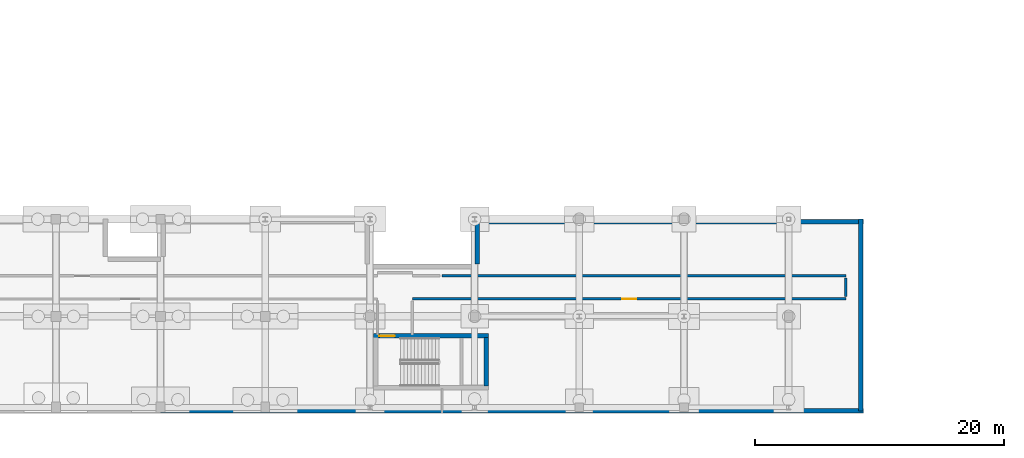
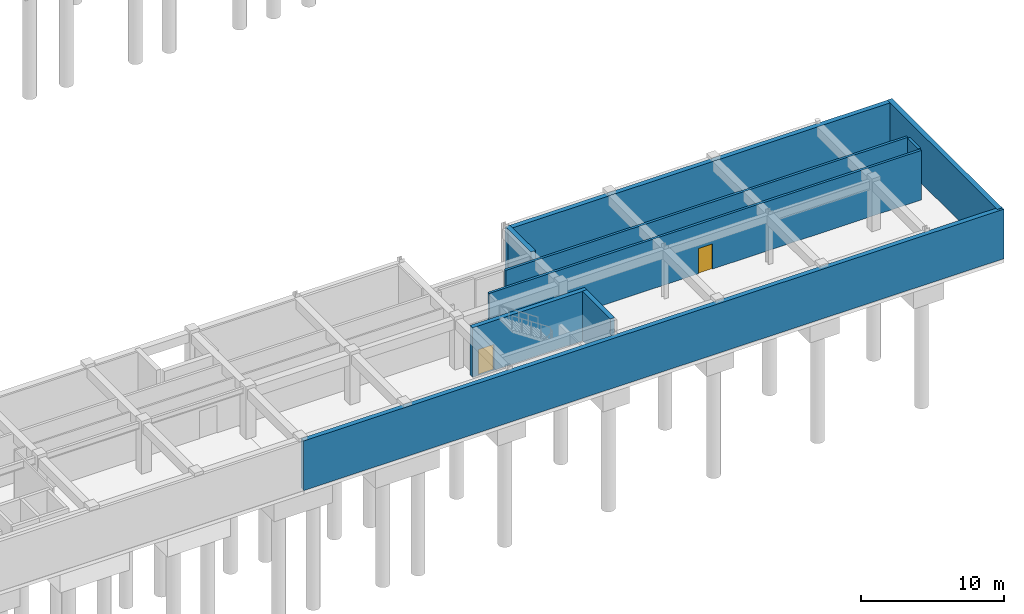
# One storey, part 28 of 42: 9 walls, 2 doors, 2 openings.
"""IFC4 building model written with IfcOpenShell, lengths in metres."""

from ifc_helpers import new_model, si_unit, direction, frame, frame_2d, origin, place, context, subcontext, project, spatial, rectangle, extrude, material, layer, layer_set, type_object, element, fill, save


model = new_model("IFC4")

# Units and contexts
model_context = context("Model", 3, precision=1e-05, world=origin(), true_north=direction((0.0, 1.0)))
body_context = subcontext(model_context, "Body", "Model", "MODEL_VIEW")
ifc_project = project(units=[si_unit("LENGTHUNIT", "METRE"), si_unit("AREAUNIT", "SQUARE_METRE"), si_unit("VOLUMEUNIT", "CUBIC_METRE"), si_unit("PLANEANGLEUNIT", "RADIAN"), si_unit("MASSUNIT", "GRAM", prefix="KILO")], contexts=[model_context])

# Site, building, storey
site_placement = place(None, origin())
site = spatial("IfcSite", under=ifc_project, at=site_placement, CompositionType="ELEMENT")
building_placement = place(site_placement, origin())
building = spatial("IfcBuilding", under=site, at=building_placement, Name="Quendrovan Civic Courthouse", CompositionType="ELEMENT")
storey_placement = place(building_placement, frame((0.0, 0.0, -4.5)))
storey = spatial("IfcBuildingStorey", under=building, at=storey_placement, Name="B1", CompositionType="ELEMENT", Elevation=-4.5)

# Walls
ifc_material_1 = material(Name="Concrete C35/45", Category="concrete")
ifc_layer_1 = layer(ifc_material_1, 0.3798828125, Name="Concrete C35/45")
ifc_layer_set_1 = layer_set([ifc_layer_1], Name="Concrete C35/45")
wall_type_1 = type_object("IfcWallType", Name="WL-BSM-RET380", PredefinedType="SOLIDWALL", material=ifc_layer_set_1)
wall_1_placement = place(storey_placement, frame((84.2099609375, 12.0, 0.0), z_axis=(0.0, 0.0, 1.0), x_axis=(0.0, 1.0, 0.0)))
element("IfcWall", 1, at=wall_1_placement, inside=storey, type_object=wall_type_1, Name="B1 Perimeter Retaining Wall 039", PredefinedType="SOLIDWALL", context=body_context, shape_type="SweptSolid", body=[
    extrude(rectangle(XDim=3.60009765625, YDim=0.3798828125, at=frame_2d((1.800048828125, 0.0))), origin(), (0.0, 0.0, 1.0), 4.219970703125),
])
wall_2_placement = place(storey_placement, frame((84.0, 15.389892578125, 0.0), z_axis=(0.0, 0.0, 1.0), x_axis=(1.0, 0.0, 0.0)))
element("IfcWall", 2, at=wall_2_placement, inside=storey, type_object=wall_type_1, Name="B1 Perimeter Retaining Wall 040", PredefinedType="SOLIDWALL", context=body_context, shape_type="SweptSolid", body=[
    extrude(rectangle(XDim=31.199951171875, YDim=0.3798828125, at=frame_2d((15.60009765625, 0.0))), origin(), (0.0, 0.0, 1.0), 4.219970703125),
])
wall_3_placement = place(storey_placement, frame((114.989990234375, 15.60009765625, 0.0), z_axis=(0.0, 0.0, 1.0), x_axis=(0.0, -1.0, 0.0)))
element("IfcWall", 3, at=wall_3_placement, inside=storey, type_object=wall_type_1, Name="B1 Perimeter Retaining Wall 041", PredefinedType="SOLIDWALL", context=body_context, shape_type="SweptSolid", body=[
    extrude(rectangle(XDim=15.380126953125, YDim=0.3798828125, at=frame_2d((7.68994140625, 0.0))), origin(), (0.0, 0.0, 1.0), 4.219970703125),
])
wall_4_placement = place(storey_placement, frame((115.199951171875, 0.219970703125, 0.0), z_axis=(0.0, 0.0, 1.0), x_axis=(-1.0, 0.0, 0.0)))
element("IfcWall", 4, at=wall_4_placement, inside=storey, type_object=wall_type_1, Name="B1 Perimeter Retaining Wall 042", PredefinedType="SOLIDWALL", context=body_context, shape_type="SweptSolid", body=[
    extrude(rectangle(XDim=56.39990234375, YDim=0.3798828125, at=frame_2d((28.199951171875, 0.0))), origin(), (0.0, 0.0, 1.0), 4.219970703125),
])

# Wall, opening, door
ifc_material_2 = material(Name="Concrete C45/55", Category="concrete")
ifc_layer_2 = layer(ifc_material_2, 0.35009765625, Name="Concrete C45/55")
ifc_layer_set_2 = layer_set([ifc_layer_2], Name="Concrete C45/55")
wall_type_2 = type_object("IfcWallType", Name="WL-CORE-350", PredefinedType="SHEAR", material=ifc_layer_set_2)
wall_5_placement = place(storey_placement, frame((85.110107421875, 6.235107421875, 0.0), z_axis=(0.0, 0.0, 1.0), x_axis=(-1.0, 0.0, 0.0)))
wall_5 = element("IfcWall", 5, at=wall_5_placement, inside=storey, type_object=wall_type_2, Name="B1 Core Shear Wall ST7-N", PredefinedType="SHEAR", context=body_context, shape_type="SweptSolid", body=[
    extrude(rectangle(XDim=9.22021484375, YDim=0.35009765625, at=frame_2d((4.610107421875, 0.0))), origin(), (0.0, 0.0, 1.0), 4.219970703125),
])
opening_1_placement = place(wall_5_placement, frame((7.5, 0.0, 0.0)))
opening_1 = element("IfcOpeningElement", 6, at=opening_1_placement, cuts=wall_5, Name="Opening DS-ST7-B1", PredefinedType="OPENING", context=body_context, shape_type="SweptSolid", body=[
    extrude(rectangle(XDim=1.25, YDim=2.199951171875, at=frame_2d((0.625, 1.10009765625))), frame((0.0, 0.18505859375, 0.0), z_axis=(0.0, -1.0, 0.0), x_axis=(1.0, 0.0, 0.0)), (0.0, 0.0, 1.0), 0.3701171875),
])
ifc_material_3 = material(Name="Painted galvanized hollow-metal steel", Category="steel")
door_type_1 = type_object("IfcDoorType", Name="DR-STAIR-1250", OperationType="NOTDEFINED", PredefinedType="DOOR", material=ifc_material_3)
door_1_placement = place(opening_1_placement, origin())
door_1 = element("IfcDoor", 7, at=door_1_placement, inside=storey, type_object=door_type_1, Name="B1 Exit Stair ST7 Fire Door", OperationType="SINGLE_SWING_RIGHT", OverallHeight=2.199951171875, OverallWidth=1.25, PredefinedType="DOOR", context=body_context, shape_type="SweptSolid", body=[
    extrude(rectangle(XDim=1.25, YDim=2.199951171875, at=frame_2d((0.625, 1.10009765625))), frame((0.0, 0.02490234375, 0.0), z_axis=(0.0, -1.0, 0.0), x_axis=(1.0, 0.0, 0.0)), (0.0, 0.0, 1.0), 0.050048828125),
])
fill(opening_1, door_1)

# Wall
wall_6_placement = place(storey_placement, frame((84.93505859375, 6.10009765625, 0.0), z_axis=(0.0, 0.0, 1.0), x_axis=(0.0, -1.0, 0.0)))
element("IfcWall", 8, at=wall_6_placement, inside=storey, type_object=wall_type_2, Name="B1 Core Shear Wall ST7-E", PredefinedType="SHEAR", context=body_context, shape_type="SweptSolid", body=[
    extrude(rectangle(XDim=3.900146484375, YDim=0.35009765625, at=frame_2d((1.9501953125, 0.0))), origin(), (0.0, 0.0, 1.0), 4.219970703125),
])

# Wall, opening, door
ifc_material_4 = material(Name="Concrete C40/50", Category="concrete")
ifc_layer_3 = layer(ifc_material_4, 0.199951171875, Name="Concrete C40/50")
ifc_layer_set_3 = layer_set([ifc_layer_3], Name="Concrete C40/50")
wall_type_3 = type_object("IfcWallType", Name="WL-CUST-200", PredefinedType="PARTITIONING", material=ifc_layer_set_3)
wall_7_placement = place(storey_placement, frame((79.0, 9.199951171875, 0.0), z_axis=(0.0, 0.0, 1.0), x_axis=(1.0, 0.0, 0.0)))
wall_7 = element("IfcWall", 9, at=wall_7_placement, inside=storey, type_object=wall_type_3, Name="B1 Basement Custody Holding Suite 2 Partition 0003", PredefinedType="PARTITIONING", context=body_context, shape_type="SweptSolid", body=[
    extrude(rectangle(XDim=34.800048828125, YDim=0.199951171875, at=frame_2d((17.39990234375, 0.0))), origin(), (0.0, 0.0, 1.0), 4.219970703125),
])
opening_2_placement = place(wall_7_placement, frame((16.840087890625, 0.0, 0.0)))
opening_2 = element("IfcOpeningElement", 10, at=opening_2_placement, cuts=wall_7, Name="Opening D-B1-006", PredefinedType="OPENING", context=body_context, shape_type="SweptSolid", body=[
    extrude(rectangle(XDim=1.1201171875, YDim=2.14990234375, at=frame_2d((0.56005859375, 1.074951171875))), frame((0.0, 0.10986328125, 0.0), z_axis=(0.0, -1.0, 0.0), x_axis=(1.0, 0.0, 0.0)), (0.0, 0.0, 1.0), 0.219970703125),
])
ifc_material_5 = material(Name="Heavy-gauge security steel door", Category="steel")
door_type_2 = type_object("IfcDoorType", Name="DR-CUST-1120", OperationType="NOTDEFINED", PredefinedType="DOOR", material=ifc_material_5)
door_2_placement = place(opening_2_placement, origin())
door_2 = element("IfcDoor", 11, at=door_2_placement, inside=storey, type_object=door_type_2, Name="B1 Basement Custody Holding Suite 2 Door D-B1-006", OperationType="SINGLE_SWING_LEFT", OverallHeight=2.14990234375, OverallWidth=1.1201171875, PredefinedType="DOOR", context=body_context, shape_type="SweptSolid", body=[
    extrude(rectangle(XDim=1.1201171875, YDim=2.14990234375, at=frame_2d((0.56005859375, 1.074951171875))), frame((0.0, 0.02490234375, 0.0), z_axis=(0.0, -1.0, 0.0), x_axis=(1.0, 0.0, 0.0)), (0.0, 0.0, 1.0), 0.050048828125),
])
fill(opening_2, door_2)

# Walls
wall_8_placement = place(storey_placement, frame((113.800048828125, 11.050048828125, 0.0), z_axis=(0.0, 0.0, 1.0), x_axis=(-1.0, 0.0, 0.0)))
element("IfcWall", 12, at=wall_8_placement, inside=storey, type_object=wall_type_3, Name="B1 Basement Custody Holding Suite 2 Partition 0004", PredefinedType="PARTITIONING", context=body_context, shape_type="SweptSolid", body=[
    extrude(rectangle(XDim=32.41015625, YDim=0.199951171875, at=frame_2d((16.205078125, 0.0))), origin(), (0.0, 0.0, 1.0), 4.219970703125),
])
wall_9_placement = place(storey_placement, frame((113.800048828125, 9.3798828125, 0.0), z_axis=(0.0, 0.0, 1.0), x_axis=(0.0, 1.0, 0.0)))
element("IfcWall", 13, at=wall_9_placement, inside=storey, type_object=wall_type_3, Name="B1 Basement Custody Holding Suite 2 Partition 0141", PredefinedType="PARTITIONING", context=body_context, shape_type="SweptSolid", body=[
    extrude(rectangle(XDim=1.490234375, YDim=0.199951171875, at=frame_2d((0.7451171875, 0.0))), origin(), (0.0, 0.0, 1.0), 4.219970703125),
])

save(model, "model.ifc")
